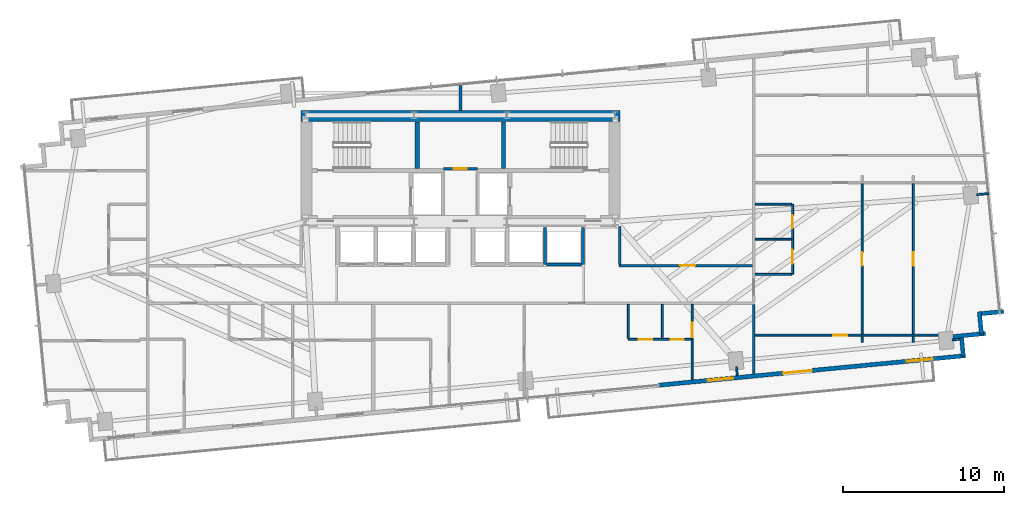
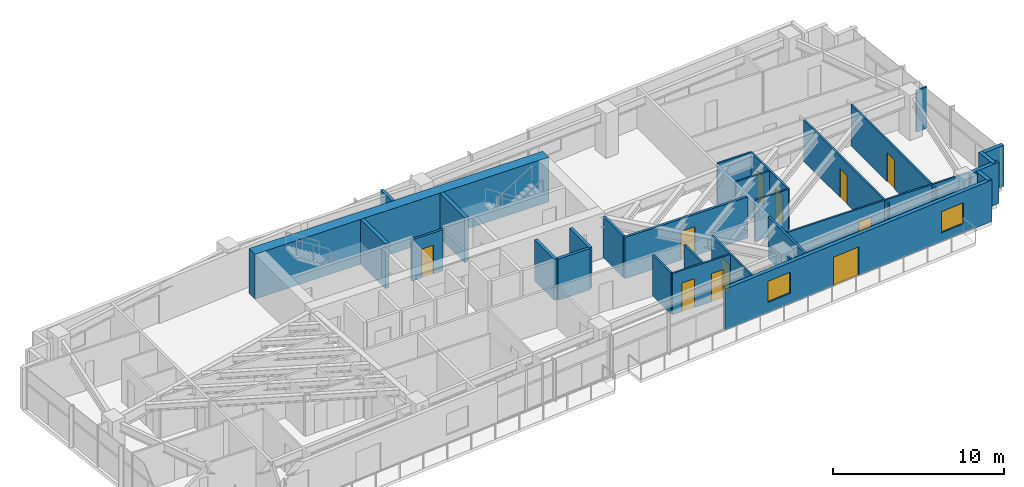
# One storey, part 21 of 25: 32 walls, 11 doors, 2 windows, 13 openings.
"""IFC4 building model written with IfcOpenShell, lengths in metres."""

from ifc_helpers import new_model, si_unit, direction, frame, frame_2d, origin, place, context, subcontext, project, spatial, rectangle, extrude, source, transform, mapped, material, layer, layer_set, type_object, type_shapes, element, fill, save


model = new_model("IFC4")

# Units and contexts
model_context = context("Model", 3, precision=1e-05, world=origin(), true_north=direction((0.0, 1.0)))
body_context = subcontext(model_context, "Body", "Model", "MODEL_VIEW")
ifc_project = project(units=[si_unit("LENGTHUNIT", "METRE"), si_unit("AREAUNIT", "SQUARE_METRE"), si_unit("VOLUMEUNIT", "CUBIC_METRE"), si_unit("PLANEANGLEUNIT", "RADIAN"), si_unit("MASSUNIT", "GRAM", prefix="KILO")], contexts=[model_context])

# Site, building, storey
site_placement = place(None, origin())
site = spatial("IfcSite", under=ifc_project, at=site_placement, CompositionType="ELEMENT")
building_placement = place(site_placement, origin())
building = spatial("IfcBuilding", under=site, at=building_placement, Name="Astriad Promenade Condominiums", CompositionType="ELEMENT")
storey_placement = place(building_placement, frame((0.0, 0.0, 81.0)))
storey = spatial("IfcBuildingStorey", under=building, at=storey_placement, Name="L22", CompositionType="ELEMENT", Elevation=81.0)

# Walls
ifc_material_1 = material(Name="Concrete C60/75", Category="concrete")
ifc_layer_1 = layer(ifc_material_1, 0.699951171875)
ifc_layer_set_1 = layer_set([ifc_layer_1], Name="Concrete C60/75")
wall_type_1 = type_object("IfcWallType", Name="CW-SHEAR-700", PredefinedType="SHEAR", material=ifc_layer_set_1)
wall_1_placement = place(storey_placement, frame((26.10009765625, 23.949951171875, 0.0), z_axis=(0.0, 0.0, 1.0), x_axis=(1.0, 0.0, 0.0)))
element("IfcWall", 1, at=wall_1_placement, inside=storey, type_object=wall_type_1, Name="CW-CORE-N-L22", PredefinedType="SHEAR", context=body_context, shape_type="SweptSolid", body=[
    extrude(rectangle(XDim=19.7998046875, YDim=0.699951171875, at=frame_2d((9.89990234375, 0.0))), origin(), (0.0, 0.0, 1.0), 3.199951171875),
])
ifc_material_2 = material(Name="Concrete C50/60", Category="concrete")
ifc_layer_2 = layer(ifc_material_2, 0.25)
ifc_layer_set_2 = layer_set([ifc_layer_2], Name="Concrete C50/60")
wall_type_2 = type_object("IfcWallType", Name="WALL-CORE-INT-250", PredefinedType="SOLIDWALL", material=ifc_layer_set_2)
for number, where, z_axis, x_axis, name in (
    (2, (33.324951171875, 20.701904296875, 0.0), (0.0, 0.0, 1.0), (0.0, 1.0, 0.0), "CW-ST1-E-L22"),
    (3, (38.675048828125, 20.701904296875, 0.0), (0.0, 0.0, 1.0), (0.0, 1.0, 0.0), "CW-ST2-W-L22"),
):
    element("IfcWall", number, at=place(storey_placement, frame(where, z_axis=z_axis, x_axis=x_axis)), inside=storey, type_object=wall_type_2, Name=name, PredefinedType="SOLIDWALL", context=body_context, shape_type="SweptSolid", body=[
        extrude(rectangle(XDim=2.89599609375, YDim=0.25, at=frame_2d((1.447998046875, 0.0))), origin(), (0.0, 0.0, 1.0), 3.199951171875),
    ])

# Wall, opening, door
ifc_material_3 = material(Name="Fire-Rated Gypsum Partition")
ifc_layer_3 = layer(ifc_material_3, 0.159912109375)
ifc_layer_set_3 = layer_set([ifc_layer_3], Name="Fire-Rated Gypsum Partition")
wall_type_3 = type_object("IfcWallType", Name="WALL-CORR-160", PredefinedType="PARTITIONING", material=ifc_layer_set_3)
wall_2_placement = place(storey_placement, frame((34.949951171875, 20.68994140625, 0.0), z_axis=(0.0, 0.0, 1.0), x_axis=(1.0, 0.0, 0.0)))
wall_2 = element("IfcWall", 4, at=wall_2_placement, inside=storey, type_object=wall_type_3, Name="CW-AUX-S-L22", PredefinedType="PARTITIONING", context=body_context, shape_type="SweptSolid", body=[
    extrude(rectangle(XDim=2.10009765625, YDim=0.159912109375, at=frame_2d((1.050048828125, 0.0))), origin(), (0.0, 0.0, 1.0), 2.93994140625),
])
opening_1_placement = place(wall_2_placement, frame((0.64990234375, 0.0, 0.0)))
opening_1 = element("IfcOpeningElement", 5, at=opening_1_placement, cuts=wall_2, Name="Opening FD60-SV-080", PredefinedType="OPENING", context=body_context, shape_type="SweptSolid", body=[
    extrude(rectangle(XDim=0.800048828125, YDim=2.050048828125, at=frame_2d((0.39990234375, 1.02490234375))), frame((0.0, 0.08984375, 0.0), z_axis=(0.0, -1.0, 0.0), x_axis=(1.0, 0.0, 0.0)), (0.0, 0.0, 1.0), 0.179931640625),
])
ifc_material_4 = material(Name="Fire-Rated Riser Closet Door")
door_type_1 = type_object("IfcDoorType", Name="FD60-SV-080", OperationType="NOTDEFINED", PredefinedType="DOOR", material=ifc_material_4)
shared_shape_1 = source(origin(), body_context, "Body", "SweptSolid", [
    extrude(rectangle(XDim=0.800048828125, YDim=2.050048828125, at=frame_2d((0.39990234375, 1.02490234375))), frame((0.0, 0.02490234375, 0.0), z_axis=(0.0, -1.0, 0.0), x_axis=(1.0, 0.0, 0.0)), (0.0, 0.0, 1.0), 0.050048828125),
])
type_shapes(door_type_1, [shared_shape_1])
door_1_placement = place(opening_1_placement, origin())
door_1 = element("IfcDoor", 6, at=door_1_placement, inside=storey, type_object=door_type_1, Name="D-AUX1-L22", OperationType="SINGLE_SWING_LEFT", OverallHeight=2.050048828125, OverallWidth=0.800048828125, PredefinedType="DOOR", context=body_context, shape_type="MappedRepresentation", body=[
    mapped(shared_shape_1, transform((0.0, 0.0, 0.0), scale=1.0)),
])
fill(opening_1, door_1)

# Wall
wall_3_placement = place(storey_placement, frame((54.199951171875, 7.961181640625, 0.0), z_axis=(0.0, 0.0, 1.0), x_axis=(0.0, 1.0, 0.0)))
element("IfcWall", 7, at=wall_3_placement, inside=storey, type_object=wall_type_3, Name="PT-COR-E-L22", PredefinedType="PARTITIONING", context=body_context, shape_type="SweptSolid", body=[
    extrude(rectangle(XDim=4.306884765625, YDim=0.159912109375, at=frame_2d((2.1533203125, 0.0))), origin(), (0.0, 0.0, 1.0), 2.93994140625),
])

# Wall, opening, door
wall_4_placement = place(storey_placement, frame((45.840087890625, 14.679931640625, 0.0), z_axis=(0.0, 0.0, 1.0), x_axis=(1.0, 0.0, 0.0)))
wall_4 = element("IfcWall", 8, at=wall_4_placement, inside=storey, type_object=wall_type_3, Name="PT-FLK-NE-L22", PredefinedType="PARTITIONING", context=body_context, shape_type="SweptSolid", body=[
    extrude(rectangle(XDim=8.27783203125, YDim=0.159912109375, at=frame_2d((4.138916015625, 0.0))), origin(), (0.0, 0.0, 1.0), 2.93994140625),
])
opening_2_placement = place(wall_4_placement, frame((3.764892578125, 0.0, 0.0)))
opening_2 = element("IfcOpeningElement", 9, at=opening_2_placement, cuts=wall_4, Name="Opening FD60-APT-095", PredefinedType="OPENING", context=body_context, shape_type="SweptSolid", body=[
    extrude(rectangle(XDim=0.949951171875, YDim=2.06005859375, at=frame_2d((0.47509765625, 1.030029296875))), frame((0.0, 0.08984375, 0.0), z_axis=(0.0, -1.0, 0.0), x_axis=(1.0, 0.0, 0.0)), (0.0, 0.0, 1.0), 0.179931640625),
])
ifc_material_5 = material(Name="Solid-Core Acoustic Timber Residence Entry Door", Category="wood")
door_type_2 = type_object("IfcDoorType", Name="FD60-APT-095", OperationType="NOTDEFINED", PredefinedType="DOOR", material=ifc_material_5)
shared_shape_2 = source(origin(), body_context, "Body", "SweptSolid", [
    extrude(rectangle(XDim=0.949951171875, YDim=2.06005859375, at=frame_2d((0.47509765625, 1.030029296875))), frame((0.0, 0.02490234375, 0.0), z_axis=(0.0, -1.0, 0.0), x_axis=(1.0, 0.0, 0.0)), (0.0, 0.0, 1.0), 0.050048828125),
])
type_shapes(door_type_2, [shared_shape_2])
door_2_placement = place(opening_2_placement, origin())
door_2 = element("IfcDoor", 10, at=door_2_placement, inside=storey, type_object=door_type_2, Name="D-NEA-L22", OperationType="SINGLE_SWING_RIGHT", OverallHeight=2.06005859375, OverallWidth=0.949951171875, PredefinedType="DOOR", context=body_context, shape_type="MappedRepresentation", body=[
    mapped(shared_shape_2, transform((0.0, 0.0, 0.0), scale=1.0)),
])
fill(opening_2, door_2)

# Walls
wall_5_placement = place(storey_placement, frame((45.8798828125, 14.761962890625, 0.0), z_axis=(0.0, 0.0, 1.0), x_axis=(0.0, 1.0, 0.0)))
element("IfcWall", 11, at=wall_5_placement, inside=storey, type_object=wall_type_3, Name="PT-ESPUR-E-L22", PredefinedType="PARTITIONING", context=body_context, shape_type="SweptSolid", body=[
    extrude(rectangle(XDim=2.3359375, YDim=0.159912109375, at=frame_2d((1.16796875, 0.0))), origin(), (0.0, 0.0, 1.0), 2.93994140625),
])
ifc_material_6 = material(Name="Acoustic Double-Stud Gypsum Partition")
ifc_layer_4 = layer(ifc_material_6, 0.199951171875)
ifc_layer_set_4 = layer_set([ifc_layer_4], Name="Acoustic Double-Stud Gypsum Partition")
wall_type_4 = type_object("IfcWallType", Name="WALL-DEMISING-200", PredefinedType="PARTITIONING", material=ifc_layer_set_4)
wall_6_placement = place(storey_placement, frame((36.0, 24.302001953125, 0.0), z_axis=(0.0, 0.0, 1.0), x_axis=(0.0, 1.0, 0.0)))
element("IfcWall", 12, at=wall_6_placement, inside=storey, type_object=wall_type_4, Name="PT-NC-MID-L22", PredefinedType="PARTITIONING", context=body_context, shape_type="SweptSolid", body=[
    extrude(rectangle(XDim=1.65576171875, YDim=0.199951171875, at=frame_2d((0.827880859375, 0.0))), origin(), (0.0, 0.0, 1.0), 2.93994140625),
])
ifc_material_7 = material(Name="Precast concrete C50/60", Category="concrete")
ifc_layer_5 = layer(ifc_material_7, 0.260009765625)
ifc_layer_set_5 = layer_set([ifc_layer_5], Name="Precast concrete C50/60")
wall_type_5 = type_object("IfcWallType", Name="WALL-EXT-TWR-260", PredefinedType="STANDARD", material=ifc_layer_set_5)
for number, where, z_axis, x_axis, name in (
    (13, (69.698486328125, 11.83251953125, 0.0), (0.0, 0.0, 1.0), (-0.99540614245, -0.095742423056, 0.0), "W-SER-L22-14"),
    (14, (68.18310546875, 11.817138671875, 0.0), (0.0, 0.0, 1.0), (0.095915846097, -0.995389446633, 0.0), "W-SER-L22-15"),
):
    element("IfcWall", number, at=place(storey_placement, frame(where, z_axis=z_axis, x_axis=x_axis)), inside=storey, type_object=wall_type_5, Name=name, PredefinedType="STANDARD", context=body_context, shape_type="SweptSolid", body=[
        extrude(rectangle(XDim=1.394775390625, YDim=0.260009765625, at=frame_2d((0.697265625, 0.0))), origin(), (0.0, 0.0, 1.0), 2.93994140625),
    ])
wall_7_placement = place(storey_placement, frame((68.57421875, 10.468505859375, 0.0), z_axis=(0.0, 0.0, 1.0), x_axis=(-0.99539865733, -0.095820211783, 0.0)))
element("IfcWall", 15, at=wall_7_placement, inside=storey, type_object=wall_type_5, Name="W-SER-L22-16", PredefinedType="STANDARD", context=body_context, shape_type="SweptSolid", body=[
    extrude(rectangle(XDim=2.028076171875, YDim=0.260009765625, at=frame_2d((1.01416015625, 0.0))), origin(), (0.0, 0.0, 1.0), 2.93994140625),
])
wall_8_placement = place(storey_placement, frame((67.082275390625, 10.209228515625, 0.0), z_axis=(0.0, 0.0, 1.0), x_axis=(0.09576095695, -0.995404359607, 0.0)))
element("IfcWall", 16, at=wall_8_placement, inside=storey, type_object=wall_type_5, Name="W-SER-L22-17", PredefinedType="STANDARD", context=body_context, shape_type="SweptSolid", body=[
    extrude(rectangle(XDim=1.14990234375, YDim=0.260009765625, at=frame_2d((0.574951171875, 0.0))), origin(), (0.0, 0.0, 1.0), 2.93994140625),
])

# Wall, openings, door, windows
wall_9_placement = place(storey_placement, frame((67.3203125, 9.092041015625, 0.0), z_axis=(0.0, 0.0, 1.0), x_axis=(-0.995396521236, -0.095842399342, 0.0)))
wall_9 = element("IfcWall", 17, at=wall_9_placement, inside=storey, type_object=wall_type_5, Name="W-EXT-L22-S1", PredefinedType="STANDARD", context=body_context, shape_type="SweptSolid", body=[
    extrude(rectangle(XDim=19.10986328125, YDim=0.260009765625, at=frame_2d((9.554931640625, 0.0))), origin(), (0.0, 0.0, 1.0), 2.93994140625),
])
opening_3_placement = place(wall_9_placement, frame((9.56298828125, 0.0, 0.0)))
opening_3 = element("IfcOpeningElement", 18, at=opening_3_placement, cuts=wall_9, Name="Opening BD-1822-SLD", PredefinedType="OPENING", context=body_context, shape_type="SweptSolid", body=[
    extrude(rectangle(XDim=1.800048828125, YDim=2.06005859375, at=frame_2d((0.89990234375, 1.030029296875))), frame((0.0, 0.139892578125, 0.0), z_axis=(0.0, -1.0, 0.0), x_axis=(1.0, 0.0, 0.0)), (0.0, 0.0, 1.0), 0.280029296875),
])
opening_4_placement = place(wall_9_placement, frame((2.050048828125, 0.0, 0.64990234375)))
opening_4 = element("IfcOpeningElement", 19, at=opening_4_placement, cuts=wall_9, Name="Opening WIN-TWR-1620", PredefinedType="OPENING", context=body_context, shape_type="SweptSolid", body=[
    extrude(rectangle(XDim=1.60009765625, YDim=1.5, at=frame_2d((0.800048828125, 0.75))), frame((0.0, 0.139892578125, 0.0), z_axis=(0.0, -1.0, 0.0), x_axis=(1.0, 0.0, 0.0)), (0.0, 0.0, 1.0), 0.280029296875),
])
opening_5_placement = place(wall_9_placement, frame((14.465087890625, 0.0, 0.75)))
opening_5 = element("IfcOpeningElement", 20, at=opening_5_placement, cuts=wall_9, Name="Opening WIN-TWR-1620", PredefinedType="OPENING", context=body_context, shape_type="SweptSolid", body=[
    extrude(rectangle(XDim=1.60009765625, YDim=1.5, at=frame_2d((0.800048828125, 0.75))), frame((0.0, 0.139892578125, 0.0), z_axis=(0.0, -1.0, 0.0), x_axis=(1.0, 0.0, 0.0)), (0.0, 0.0, 1.0), 0.280029296875),
])
ifc_material_8 = material(Name="Thermally Broken Aluminium Sliding Balcony Door", Category="aluminium")
door_type_3 = type_object("IfcDoorType", Name="BD-1822-SLD", OperationType="NOTDEFINED", PredefinedType="DOOR", material=ifc_material_8)
shared_shape_3 = source(origin(), body_context, "Body", "SweptSolid", [
    extrude(rectangle(XDim=1.800048828125, YDim=2.06005859375, at=frame_2d((0.89990234375, 1.030029296875))), frame((0.0, 0.02490234375, 0.0), z_axis=(0.0, -1.0, 0.0), x_axis=(1.0, 0.0, 0.0)), (0.0, 0.0, 1.0), 0.050048828125),
])
type_shapes(door_type_3, [shared_shape_3])
door_3_placement = place(opening_3_placement, origin())
door_3 = element("IfcDoor", 21, at=door_3_placement, inside=storey, type_object=door_type_3, Name="BD-L22-SE", OperationType="SLIDING_TO_RIGHT", OverallHeight=2.06005859375, OverallWidth=1.800048828125, PredefinedType="DOOR", context=body_context, shape_type="MappedRepresentation", body=[
    mapped(shared_shape_3, transform((0.0, 0.0, 0.0), scale=1.0)),
])
fill(opening_3, door_3)
ifc_material_9 = material(Name="Dark Tinted Triple-Glazed Aluminium Window", Category="aluminium")
window_type = type_object("IfcWindowType", Name="WIN-TWR-1620", PartitioningType="SINGLE_PANEL", PredefinedType="WINDOW", material=ifc_material_9)
shared_shape_4 = source(origin(), body_context, "Body", "SweptSolid", [
    extrude(rectangle(XDim=1.60009765625, YDim=1.5, at=frame_2d((0.800048828125, 0.75))), frame((0.0, 0.030029296875, 0.0), z_axis=(0.0, -1.0, 0.0), x_axis=(1.0, 0.0, 0.0)), (0.0, 0.0, 1.0), 0.06005859375),
])
type_shapes(window_type, [shared_shape_4])
window_1_placement = place(opening_4_placement, origin())
window_1 = element("IfcWindow", 22, at=window_1_placement, inside=storey, type_object=window_type, Name="WIN-L22-SE", OverallHeight=1.5, OverallWidth=1.60009765625, PartitioningType="SINGLE_PANEL", PredefinedType="WINDOW", context=body_context, shape_type="MappedRepresentation", body=[
    mapped(shared_shape_4, transform((0.0, 0.0, 0.0), scale=1.0)),
])
fill(opening_4, window_1)
window_2_placement = place(opening_5_placement, origin())
window_2 = element("IfcWindow", 23, at=window_2_placement, inside=storey, type_object=window_type, Name="WIN-DW-L22-S2-BD1", OverallHeight=1.5, OverallWidth=1.60009765625, PartitioningType="SINGLE_PANEL", PredefinedType="WINDOW", context=body_context, shape_type="MappedRepresentation", body=[
    mapped(shared_shape_4, transform((0.0, 0.0, 0.0), scale=1.0)),
])
fill(opening_5, window_2)

# Wall, opening, door
ifc_material_10 = material(Name="Acoustic Metal-Stud Gypsum Partition")
ifc_layer_6 = layer(ifc_material_10, 0.1201171875)
ifc_layer_set_6 = layer_set([ifc_layer_6], Name="Acoustic Metal-Stud Gypsum Partition")
wall_type_6 = type_object("IfcWallType", Name="WALL-PART-120", PredefinedType="PARTITIONING", material=ifc_layer_set_6)
wall_10_placement = place(storey_placement, frame((50.3701171875, 7.592529296875, 0.0), z_axis=(0.0, 0.0, 1.0), x_axis=(0.0, 1.0, 0.0)))
wall_10 = element("IfcWall", 24, at=wall_10_placement, inside=storey, type_object=wall_type_6, Name="PT-L22-S2-BD1", PredefinedType="PARTITIONING", context=body_context, shape_type="SweptSolid", body=[
    extrude(rectangle(XDim=4.675537109375, YDim=0.1201171875, at=frame_2d((2.337890625, 0.0))), origin(), (0.0, 0.0, 1.0), 2.93994140625),
])
opening_6_placement = place(wall_10_placement, frame((2.632568359375, 0.0, 0.0)))
opening_6 = element("IfcOpeningElement", 25, at=opening_6_placement, cuts=wall_10, Name="Opening D-INT-090", PredefinedType="OPENING", context=body_context, shape_type="SweptSolid", body=[
    extrude(rectangle(XDim=0.89990234375, YDim=2.050048828125, at=frame_2d((0.449951171875, 1.02490234375))), frame((0.0, 0.070068359375, 0.0), z_axis=(0.0, -1.0, 0.0), x_axis=(1.0, 0.0, 0.0)), (0.0, 0.0, 1.0), 0.14013671875),
])
ifc_material_11 = material(Name="Painted Solid-Core Timber Bedroom Door", Category="wood")
door_type_4 = type_object("IfcDoorType", Name="D-INT-090", OperationType="NOTDEFINED", PredefinedType="DOOR", material=ifc_material_11)
shared_shape_5 = source(origin(), body_context, "Body", "SweptSolid", [
    extrude(rectangle(XDim=0.89990234375, YDim=2.050048828125, at=frame_2d((0.449951171875, 1.02490234375))), frame((0.0, 0.02490234375, 0.0), z_axis=(0.0, -1.0, 0.0), x_axis=(1.0, 0.0, 0.0)), (0.0, 0.0, 1.0), 0.050048828125),
])
type_shapes(door_type_4, [shared_shape_5])
door_4_placement = place(opening_6_placement, origin())
door_4 = element("IfcDoor", 26, at=door_4_placement, inside=storey, type_object=door_type_4, Name="D-BD1-L22-S2", OperationType="SINGLE_SWING_RIGHT", OverallHeight=2.050048828125, OverallWidth=0.89990234375, PredefinedType="DOOR", context=body_context, shape_type="MappedRepresentation", body=[
    mapped(shared_shape_5, transform((0.0, 0.0, 0.0), scale=1.0)),
])
fill(opening_6, door_4)

# Wall, openings, doors
wall_11_placement = place(storey_placement, frame((46.419921875, 10.10009765625, 0.0), z_axis=(0.0, 0.0, 1.0), x_axis=(1.0, 0.0, 0.0)))
wall_11 = element("IfcWall", 27, at=wall_11_placement, inside=storey, type_object=wall_type_6, Name="PT-L22-S2-PS", PredefinedType="PARTITIONING", context=body_context, shape_type="SweptSolid", body=[
    extrude(rectangle(XDim=3.88818359375, YDim=0.1201171875, at=frame_2d((1.944091796875, 0.0))), origin(), (0.0, 0.0, 1.0), 2.93994140625),
])
opening_7_placement = place(wall_11_placement, frame((0.625, 0.0, 0.0)))
opening_7 = element("IfcOpeningElement", 28, at=opening_7_placement, cuts=wall_11, Name="Opening D-INT-085", PredefinedType="OPENING", context=body_context, shape_type="SweptSolid", body=[
    extrude(rectangle(XDim=0.85009765625, YDim=2.050048828125, at=frame_2d((0.425048828125, 1.02490234375))), frame((0.0, 0.070068359375, 0.0), z_axis=(0.0, -1.0, 0.0), x_axis=(1.0, 0.0, 0.0)), (0.0, 0.0, 1.0), 0.14013671875),
])
opening_8_placement = place(wall_11_placement, frame((2.625, 0.0, 0.0)))
opening_8 = element("IfcOpeningElement", 29, at=opening_8_placement, cuts=wall_11, Name="Opening D-WET-080", PredefinedType="OPENING", context=body_context, shape_type="SweptSolid", body=[
    extrude(rectangle(XDim=0.800048828125, YDim=2.02001953125, at=frame_2d((0.39990234375, 1.010009765625))), frame((0.0, 0.070068359375, 0.0), z_axis=(0.0, -1.0, 0.0), x_axis=(1.0, 0.0, 0.0)), (0.0, 0.0, 1.0), 0.14013671875),
])
ifc_material_12 = material(Name="Moisture-Resistant Timber Bathroom Door", Category="wood")
door_type_5 = type_object("IfcDoorType", Name="D-WET-080", OperationType="NOTDEFINED", PredefinedType="DOOR", material=ifc_material_12)
shared_shape_6 = source(origin(), body_context, "Body", "SweptSolid", [
    extrude(rectangle(XDim=0.800048828125, YDim=2.02001953125, at=frame_2d((0.39990234375, 1.010009765625))), frame((0.0, 0.02490234375, 0.0), z_axis=(0.0, -1.0, 0.0), x_axis=(1.0, 0.0, 0.0)), (0.0, 0.0, 1.0), 0.050048828125),
])
type_shapes(door_type_5, [shared_shape_6])
door_5_placement = place(opening_8_placement, origin())
door_5 = element("IfcDoor", 30, at=door_5_placement, inside=storey, type_object=door_type_5, Name="D-BTH-L22-S2", OperationType="SINGLE_SWING_RIGHT", OverallHeight=2.02001953125, OverallWidth=0.800048828125, PredefinedType="DOOR", context=body_context, shape_type="MappedRepresentation", body=[
    mapped(shared_shape_6, transform((0.0, 0.0, 0.0), scale=1.0)),
])
fill(opening_8, door_5)
ifc_material_13 = material(Name="Painted Solid-Core Timber Room Door", Category="wood")
door_type_6 = type_object("IfcDoorType", Name="D-INT-085", OperationType="NOTDEFINED", PredefinedType="DOOR", material=ifc_material_13)
shared_shape_7 = source(origin(), body_context, "Body", "SweptSolid", [
    extrude(rectangle(XDim=0.85009765625, YDim=2.050048828125, at=frame_2d((0.425048828125, 1.02490234375))), frame((0.0, 0.02490234375, 0.0), z_axis=(0.0, -1.0, 0.0), x_axis=(1.0, 0.0, 0.0)), (0.0, 0.0, 1.0), 0.050048828125),
])
type_shapes(door_type_6, [shared_shape_7])
door_6_placement = place(opening_7_placement, origin())
door_6 = element("IfcDoor", 31, at=door_6_placement, inside=storey, type_object=door_type_6, Name="D-KIT-L22-S2", OperationType="SINGLE_SWING_LEFT", OverallHeight=2.050048828125, OverallWidth=0.85009765625, PredefinedType="DOOR", context=body_context, shape_type="MappedRepresentation", body=[
    mapped(shared_shape_7, transform((0.0, 0.0, 0.0), scale=1.0)),
])
fill(opening_7, door_6)

# Walls
for number, where, z_axis, x_axis, name in (
    (32, (48.52001953125, 10.162109375, 0.0), (0.0, 0.0, 1.0), (0.0, 1.0, 0.0), "PT-L22-S2-PBK"),
    (33, (46.419921875, 10.162109375, 0.0), (0.0, 0.0, 1.0), (0.0, 1.0, 0.0), "PT-L22-S2-PKW"),
):
    element("IfcWall", number, at=place(storey_placement, frame(where, z_axis=z_axis, x_axis=x_axis)), inside=storey, type_object=wall_type_6, Name=name, PredefinedType="PARTITIONING", context=body_context, shape_type="SweptSolid", body=[
        extrude(rectangle(XDim=2.10595703125, YDim=0.1201171875, at=frame_2d((1.052978515625, 0.0))), origin(), (0.0, 0.0, 1.0), 2.93994140625),
    ])

# Wall, openings, doors
wall_12_placement = place(storey_placement, frame((56.60009765625, 14.135986328125, 0.0), z_axis=(0.0, 0.0, 1.0), x_axis=(0.0, 1.0, 0.0)))
wall_12 = element("IfcWall", 34, at=wall_12_placement, inside=storey, type_object=wall_type_6, Name="PT-L22-E1-PV", PredefinedType="PARTITIONING", context=body_context, shape_type="SweptSolid", body=[
    extrude(rectangle(XDim=4.35009765625, YDim=0.1201171875, at=frame_2d((2.175048828125, 0.0))), origin(), (0.0, 0.0, 1.0), 2.93994140625),
])
opening_9_placement = place(wall_12_placement, frame((0.662109375, 0.0, 0.0)))
opening_9 = element("IfcOpeningElement", 35, at=opening_9_placement, cuts=wall_12, Name="Opening D-INT-085", PredefinedType="OPENING", context=body_context, shape_type="SweptSolid", body=[
    extrude(rectangle(XDim=0.85009765625, YDim=2.050048828125, at=frame_2d((0.425048828125, 1.02490234375))), frame((0.0, 0.070068359375, 0.0), z_axis=(0.0, -1.0, 0.0), x_axis=(1.0, 0.0, 0.0)), (0.0, 0.0, 1.0), 0.14013671875),
])
opening_10_placement = place(wall_12_placement, frame((2.862060546875, 0.0, 0.0)))
opening_10 = element("IfcOpeningElement", 36, at=opening_10_placement, cuts=wall_12, Name="Opening D-WET-080", PredefinedType="OPENING", context=body_context, shape_type="SweptSolid", body=[
    extrude(rectangle(XDim=0.800048828125, YDim=2.02001953125, at=frame_2d((0.39990234375, 1.010009765625))), frame((0.0, 0.070068359375, 0.0), z_axis=(0.0, -1.0, 0.0), x_axis=(1.0, 0.0, 0.0)), (0.0, 0.0, 1.0), 0.14013671875),
])
door_7_placement = place(opening_10_placement, origin())
door_7 = element("IfcDoor", 37, at=door_7_placement, inside=storey, type_object=door_type_5, Name="D-BTH-L22-E1", OperationType="SINGLE_SWING_LEFT", OverallHeight=2.02001953125, OverallWidth=0.800048828125, PredefinedType="DOOR", context=body_context, shape_type="MappedRepresentation", body=[
    mapped(shared_shape_6, transform((0.0, 0.0, 0.0), scale=1.0)),
])
fill(opening_10, door_7)
door_8_placement = place(opening_9_placement, origin())
door_8 = element("IfcDoor", 38, at=door_8_placement, inside=storey, type_object=door_type_6, Name="D-KIT-L22-E1", OperationType="SINGLE_SWING_RIGHT", OverallHeight=2.050048828125, OverallWidth=0.85009765625, PredefinedType="DOOR", context=body_context, shape_type="MappedRepresentation", body=[
    mapped(shared_shape_7, transform((0.0, 0.0, 0.0), scale=1.0)),
])
fill(opening_9, door_8)

# Walls
for number, where, z_axis, x_axis, name in (
    (39, (54.281982421875, 16.31103515625, 0.0), (0.0, 0.0, 1.0), (1.0, 0.0, 0.0), "PT-L22-E1-PM"),
    (40, (54.281982421875, 14.135986328125, 0.0), (0.0, 0.0, 1.0), (1.0, 0.0, 0.0), "PT-L22-E1-PS"),
    (41, (54.281982421875, 18.486083984375, 0.0), (0.0, 0.0, 1.0), (1.0, 0.0, 0.0), "PT-L22-E1-PN"),
):
    element("IfcWall", number, at=place(storey_placement, frame(where, z_axis=z_axis, x_axis=x_axis)), inside=storey, type_object=wall_type_6, Name=name, PredefinedType="PARTITIONING", context=body_context, shape_type="SweptSolid", body=[
        extrude(rectangle(XDim=2.256103515625, YDim=0.1201171875, at=frame_2d((1.1279296875, 0.0))), origin(), (0.0, 0.0, 1.0), 2.93994140625),
    ])

# Wall, opening, door
wall_13_placement = place(storey_placement, frame((54.281982421875, 10.362060546875, 0.0), z_axis=(0.0, 0.0, 1.0), x_axis=(1.0, 0.0, 0.0)))
wall_13 = element("IfcWall", 42, at=wall_13_placement, inside=storey, type_object=wall_type_6, Name="PT-L22-E1-WDS2", PredefinedType="PARTITIONING", context=body_context, shape_type="SweptSolid", body=[
    extrude(rectangle(XDim=12.264892578125, YDim=0.1201171875, at=frame_2d((6.13232421875, 0.0))), origin(), (0.0, 0.0, 1.0), 2.93994140625),
])
opening_11_placement = place(wall_13_placement, frame((4.85302734375, 0.0, 0.0)))
opening_11 = element("IfcOpeningElement", 43, at=opening_11_placement, cuts=wall_13, Name="Opening D-INT-085", PredefinedType="OPENING", context=body_context, shape_type="SweptSolid", body=[
    extrude(rectangle(XDim=0.85009765625, YDim=2.050048828125, at=frame_2d((0.425048828125, 1.02490234375))), frame((0.0, 0.070068359375, 0.0), z_axis=(0.0, -1.0, 0.0), x_axis=(1.0, 0.0, 0.0)), (0.0, 0.0, 1.0), 0.14013671875),
])
door_9_placement = place(opening_11_placement, origin())
door_9 = element("IfcDoor", 44, at=door_9_placement, inside=storey, type_object=door_type_6, Name="D-WDS2-L22-E1", OperationType="SINGLE_SWING_LEFT", OverallHeight=2.050048828125, OverallWidth=0.85009765625, PredefinedType="DOOR", context=body_context, shape_type="MappedRepresentation", body=[
    mapped(shared_shape_7, transform((0.0, 0.0, 0.0), scale=1.0)),
])
fill(opening_11, door_9)

# Wall
wall_14_placement = place(storey_placement, frame((64.091064453125, 9.922119140625, 0.0), z_axis=(0.0, 0.0, 1.0), x_axis=(0.0, 1.0, 0.0)))
element("IfcWall", 45, at=wall_14_placement, inside=storey, type_object=wall_type_6, Name="PT-L22-E1-WDV4", PredefinedType="PARTITIONING", context=body_context, shape_type="SweptSolid", body=[
    extrude(rectangle(XDim=0.3779296875, YDim=0.1201171875, at=frame_2d((0.18896484375, 0.0))), origin(), (0.0, 0.0, 1.0), 2.93994140625),
])

# Wall, opening, door
wall_15_placement = place(storey_placement, frame((64.091064453125, 10.424072265625, 0.0), z_axis=(0.0, 0.0, 1.0), x_axis=(0.0, 1.0, 0.0)))
wall_15 = element("IfcWall", 46, at=wall_15_placement, inside=storey, type_object=wall_type_6, Name="PT-L22-E1-WDV4-S2", PredefinedType="PARTITIONING", context=body_context, shape_type="SweptSolid", body=[
    extrude(rectangle(XDim=9.33203125, YDim=0.1201171875, at=frame_2d((4.666015625, 0.0))), origin(), (0.0, 0.0, 1.0), 2.93994140625),
])
opening_12_placement = place(wall_15_placement, frame((4.240966796875, 0.0, 0.0)))
opening_12 = element("IfcOpeningElement", 47, at=opening_12_placement, cuts=wall_15, Name="Opening D-INT-085", PredefinedType="OPENING", context=body_context, shape_type="SweptSolid", body=[
    extrude(rectangle(XDim=0.85009765625, YDim=2.050048828125, at=frame_2d((0.425048828125, 1.02490234375))), frame((0.0, 0.070068359375, 0.0), z_axis=(0.0, -1.0, 0.0), x_axis=(1.0, 0.0, 0.0)), (0.0, 0.0, 1.0), 0.14013671875),
])
door_10_placement = place(opening_12_placement, origin())
door_10 = element("IfcDoor", 48, at=door_10_placement, inside=storey, type_object=door_type_6, Name="D-WDV4-L22-E1", OperationType="SINGLE_SWING_LEFT", OverallHeight=2.050048828125, OverallWidth=0.85009765625, PredefinedType="DOOR", context=body_context, shape_type="MappedRepresentation", body=[
    mapped(shared_shape_7, transform((0.0, 0.0, 0.0), scale=1.0)),
])
fill(opening_12, door_10)

# Wall
wall_16_placement = place(storey_placement, frame((60.909912109375, 9.922119140625, 0.0), z_axis=(0.0, 0.0, 1.0), x_axis=(0.0, 1.0, 0.0)))
element("IfcWall", 49, at=wall_16_placement, inside=storey, type_object=wall_type_6, Name="PT-L22-E1-WDV5", PredefinedType="PARTITIONING", context=body_context, shape_type="SweptSolid", body=[
    extrude(rectangle(XDim=0.3779296875, YDim=0.1201171875, at=frame_2d((0.18896484375, 0.0))), origin(), (0.0, 0.0, 1.0), 2.93994140625),
])

# Wall, opening, door
wall_17_placement = place(storey_placement, frame((60.909912109375, 10.424072265625, 0.0), z_axis=(0.0, 0.0, 1.0), x_axis=(0.0, 1.0, 0.0)))
wall_17 = element("IfcWall", 50, at=wall_17_placement, inside=storey, type_object=wall_type_6, Name="PT-L22-E1-WDV5-S2", PredefinedType="PARTITIONING", context=body_context, shape_type="SweptSolid", body=[
    extrude(rectangle(XDim=9.33203125, YDim=0.1201171875, at=frame_2d((4.666015625, 0.0))), origin(), (0.0, 0.0, 1.0), 2.93994140625),
])
opening_13_placement = place(wall_17_placement, frame((4.240966796875, 0.0, 0.0)))
opening_13 = element("IfcOpeningElement", 51, at=opening_13_placement, cuts=wall_17, Name="Opening D-INT-085", PredefinedType="OPENING", context=body_context, shape_type="SweptSolid", body=[
    extrude(rectangle(XDim=0.85009765625, YDim=2.050048828125, at=frame_2d((0.425048828125, 1.02490234375))), frame((0.0, 0.070068359375, 0.0), z_axis=(0.0, -1.0, 0.0), x_axis=(1.0, 0.0, 0.0)), (0.0, 0.0, 1.0), 0.14013671875),
])
door_11_placement = place(opening_13_placement, origin())
door_11 = element("IfcDoor", 52, at=door_11_placement, inside=storey, type_object=door_type_6, Name="D-WDV5-L22-E1", OperationType="SINGLE_SWING_RIGHT", OverallHeight=2.050048828125, OverallWidth=0.85009765625, PredefinedType="DOOR", context=body_context, shape_type="MappedRepresentation", body=[
    mapped(shared_shape_7, transform((0.0, 0.0, 0.0), scale=1.0)),
])
fill(opening_13, door_11)

# Walls
wall_18_placement = place(storey_placement, frame((53.121337890625, 8.39794921875, 0.0), z_axis=(0.0, 0.0, 1.0), x_axis=(0.096179204763, -0.995364034196, 0.0)))
element("IfcWall", 53, at=wall_18_placement, inside=storey, type_object=wall_type_6, Name="PT-PIL-L22-PC04-11", PredefinedType="PARTITIONING", context=body_context, shape_type="SweptSolid", body=[
    extrude(rectangle(XDim=0.5380859375, YDim=0.1201171875, at=frame_2d((0.26904296875, 0.0))), origin(), (0.0, 0.0, 1.0), 2.93994140625),
])
wall_19_placement = place(storey_placement, frame((66.5029296875, 10.068115234375, 0.0), z_axis=(0.0, 0.0, 1.0), x_axis=(0.995389482415, 0.095915474751, 0.0)))
element("IfcWall", 54, at=wall_19_placement, inside=storey, type_object=wall_type_6, Name="PT-PIL-L22-PC05-12", PredefinedType="PARTITIONING", context=body_context, shape_type="SweptSolid", body=[
    extrude(rectangle(XDim=0.458251953125, YDim=0.1201171875, at=frame_2d((0.22900390625, 0.0))), origin(), (0.0, 0.0, 1.0), 2.93994140625),
])
wall_20_placement = place(storey_placement, frame((68.026611328125, 19.07568359375, 0.0), z_axis=(0.0, 0.0, 1.0), x_axis=(0.995377786728, 0.096036772582, 0.0)))
element("IfcWall", 55, at=wall_20_placement, inside=storey, type_object=wall_type_6, Name="PT-PIL-L22-PC12-19", PredefinedType="PARTITIONING", context=body_context, shape_type="SweptSolid", body=[
    extrude(rectangle(XDim=0.760009765625, YDim=0.1201171875, at=frame_2d((0.3798828125, 0.0))), origin(), (0.0, 0.0, 1.0), 2.93994140625),
])
ifc_material_14 = material(Name="Gypsum Shaftliner Assembly")
ifc_layer_7 = layer(ifc_material_14, 0.199951171875)
ifc_layer_set_7 = layer_set([ifc_layer_7], Name="Gypsum Shaftliner Assembly")
wall_type_7 = type_object("IfcWallType", Name="WALL-SHAFT-200", PredefinedType="PARTITIONING", material=ifc_layer_set_7)
for number, where, z_axis, x_axis, name in (
    (56, (41.25, 14.75, 0.0), (0.0, 0.0, 1.0), (0.0, 1.0, 0.0), "PL-H-DIV-L22"),
    (57, (43.60009765625, 14.75, 0.0), (0.0, 0.0, 1.0), (0.0, 1.0, 0.0), "PL-E-OUT-L22"),
):
    element("IfcWall", number, at=place(storey_placement, frame(where, z_axis=z_axis, x_axis=x_axis)), inside=storey, type_object=wall_type_7, Name=name, PredefinedType="PARTITIONING", context=body_context, shape_type="SweptSolid", body=[
        extrude(rectangle(XDim=2.300048828125, YDim=0.199951171875, at=frame_2d((1.14990234375, 0.0))), origin(), (0.0, 0.0, 1.0), 2.93994140625),
    ])
wall_21_placement = place(storey_placement, frame((41.35205078125, 14.75, 0.0), z_axis=(0.0, 0.0, 1.0), x_axis=(1.0, 0.0, 0.0)))
element("IfcWall", 58, at=wall_21_placement, inside=storey, type_object=wall_type_7, Name="PL-H-FRT-L22-S2", PredefinedType="PARTITIONING", context=body_context, shape_type="SweptSolid", body=[
    extrude(rectangle(XDim=2.14599609375, YDim=0.199951171875, at=frame_2d((1.072998046875, 0.0))), origin(), (0.0, 0.0, 1.0), 2.93994140625),
])

save(model, "model.ifc")
